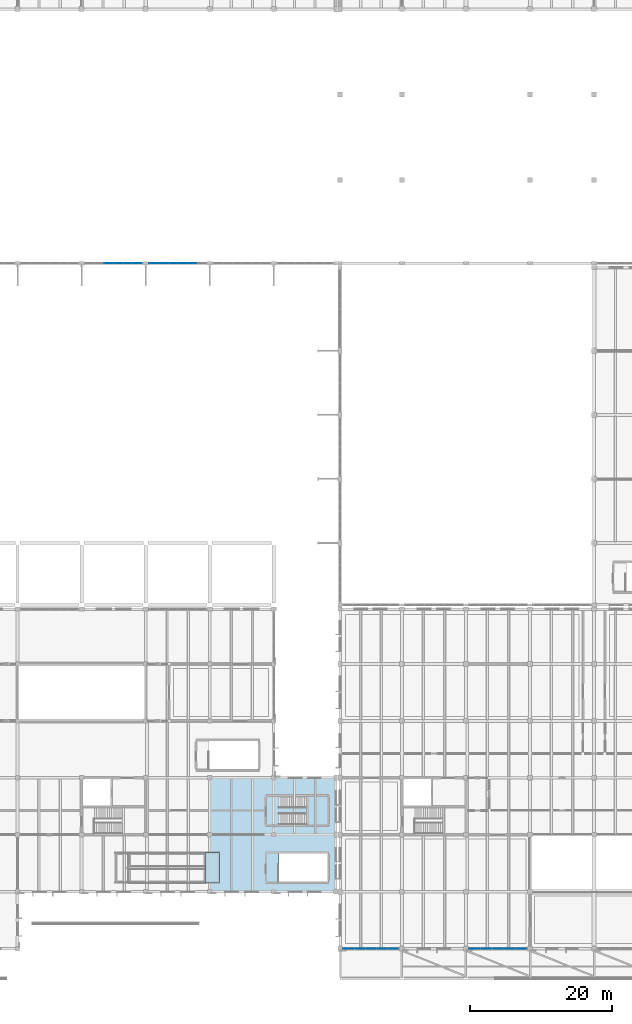
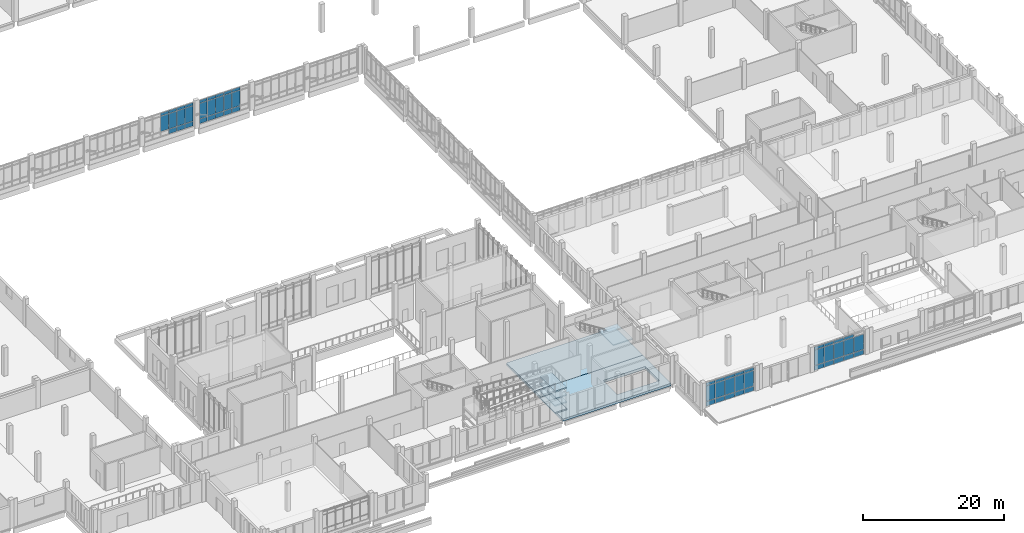
# One storey, part 61 of 110: 55 plates, 7 slabs, 6 elements without a shape of their own.
"""IFC4 building model written with IfcOpenShell, lengths in metres."""

import ifcopenshell
import ifcopenshell.guid

model = None  # the IFC model being written
_history = None  # IfcOwnerHistory: only IFC2X3 demands one
_inside = {}  # id of a spatial element -> (the spatial element, [elements in it])
_under = {}  # id of a project, library or spatial element -> (it, [spatial elements below it])
_declared = {}  # id of a project -> (the project, [libraries it declares])
_typed = {}  # id of a type object -> (the type object, [elements of that type])
_made_of = {}  # id of a material, layer set ... -> (it, [elements and type objects made of it])


def new_model(schema):
    """Start an empty IFC model of exactly this schema.

    Asked for "IFC4X3", IfcOpenShell would pick the latest addendum, in which some entities
    have other attributes; the version numbers below select the first issue.
    IFC2X3 requires an IfcOwnerHistory on every rooted entity: one is made here for all.
    """
    global model, _history
    if schema == "IFC4X3":
        model = ifcopenshell.file(schema_version=(4, 3, 0, 0))
    else:
        model = ifcopenshell.file(schema=schema)
    _inside.clear()
    _under.clear()
    _declared.clear()
    _typed.clear()
    _made_of.clear()
    _history = None
    if model.schema == "IFC2X3":
        org = make("IfcOrganization", Name="unknown")
        user = make(
            "IfcPersonAndOrganization",
            ThePerson=make("IfcPerson", FamilyName="unknown"),
            TheOrganization=org,
        )
        app = make(
            "IfcApplication",
            ApplicationDeveloper=org,
            Version="unknown",
            ApplicationFullName="unknown",
            ApplicationIdentifier="unknown",
        )
        _history = make(
            "IfcOwnerHistory",
            OwningUser=user,
            OwningApplication=app,
            ChangeAction="ADDED",
            CreationDate=0,
        )
    return model


def make(cls, **values):
    """One entity of the class cls with the attributes given. An attribute that is None is left unset."""
    return model.create_entity(
        cls, **{name: value for name, value in values.items() if value is not None}
    )


def rooted(cls, **values):
    """An entity with a GlobalId (a new one), such as an element, a storey or a relation."""
    return make(cls, GlobalId=ifcopenshell.guid.new(), OwnerHistory=_history, **values)


def si_unit(unit_type, name, prefix=None):
    """IfcSIUnit, for example si_unit("LENGTHUNIT", "METRE", prefix="MILLI")."""
    return make("IfcSIUnit", UnitType=unit_type, Prefix=prefix, Name=name)


def assignment(units):
    """IfcUnitAssignment: the units of a project."""
    return None if units is None else make("IfcUnitAssignment", Units=units)


def point(xyz):
    """IfcCartesianPoint."""
    return None if xyz is None else make("IfcCartesianPoint", Coordinates=xyz)


def direction(xyz):
    """IfcDirection."""
    return None if xyz is None else make("IfcDirection", DirectionRatios=xyz)


def frame(location, z_axis=None, x_axis=None):
    """IfcAxis2Placement3D, a coordinate frame: its origin and axes. An axis left out is left unset."""
    return make(
        "IfcAxis2Placement3D",
        Location=point(location),
        Axis=direction(z_axis),
        RefDirection=direction(x_axis),
    )


def frame_2d(location, x_axis=None):
    """IfcAxis2Placement2D, a coordinate frame in the plane: its origin and x axis."""
    return make(
        "IfcAxis2Placement2D", Location=point(location), RefDirection=direction(x_axis)
    )


def origin():
    """The frame at (0, 0, 0) with its axes left unset."""
    return frame((0.0, 0.0, 0.0))


def origin_2d():
    """The frame at (0, 0) in the plane with its x axis left unset."""
    return frame_2d((0.0, 0.0))


def place(relative_to, where):
    """IfcLocalPlacement: puts the frame where relative to a parent placement (None: the world)."""
    return make(
        "IfcLocalPlacement", PlacementRelTo=relative_to, RelativePlacement=where
    )


def context(
    kind, dimensions, precision=None, world=None, true_north=None, identifier=None
):
    """IfcGeometricRepresentationContext, for example the 3D "Model" context."""
    return make(
        "IfcGeometricRepresentationContext",
        ContextIdentifier=identifier,
        ContextType=kind,
        CoordinateSpaceDimension=dimensions,
        Precision=precision,
        WorldCoordinateSystem=world,
        TrueNorth=true_north,
    )


def subcontext(parent, identifier, kind, view, scale=None):
    """IfcGeometricRepresentationSubContext, for example "Body" below "Model"."""
    return make(
        "IfcGeometricRepresentationSubContext",
        ContextIdentifier=identifier,
        ContextType=kind,
        ParentContext=parent,
        TargetScale=scale,
        TargetView=view,
    )


def project(units=None, contexts=None):
    """IfcProject with its units and contexts."""
    return rooted(
        "IfcProject",
        Name="project",
        RepresentationContexts=contexts,
        UnitsInContext=assignment(units),
    )


def spatial(cls, under=None, at=None, **own):
    """A site, building, storey or space (cls), placed at a placement, below another one or the project."""
    s = rooted(cls, ObjectPlacement=at, **own)
    if under is not None:
        _under.setdefault(under.id(), (under, []))[1].append(s)
    return s


def polyline(points):
    """IfcPolyline through the points."""
    return make("IfcPolyline", Points=[point(p) for p in points])


def profile(cls, at=None, kind="AREA", **sizes):
    """A parametric profile (cls). Its sizes go by their IFC names, for example OverallWidth=200.0."""
    return make(cls, ProfileType=kind, Position=at, **sizes)


def rectangle(**sizes):
    """IfcRectangleProfileDef."""
    return profile("IfcRectangleProfileDef", **sizes)


def outline(outer, holes=None, kind="AREA"):
    """IfcArbitraryClosedProfileDef: a profile drawn as a closed curve; with holes, ...WithVoids."""
    if holes is None:
        return make("IfcArbitraryClosedProfileDef", ProfileType=kind, OuterCurve=outer)
    return make(
        "IfcArbitraryProfileDefWithVoids",
        ProfileType=kind,
        OuterCurve=outer,
        InnerCurves=holes,
    )


def extrude(swept, where, along, depth):
    """IfcExtrudedAreaSolid: the profile swept, set in the frame where, extruded along a direction by depth."""
    return make(
        "IfcExtrudedAreaSolid",
        SweptArea=swept,
        Position=where,
        ExtrudedDirection=direction(along),
        Depth=depth,
    )


def shape(context_of_items, identifier, shape_type, items):
    """IfcShapeRepresentation: the items that make up one representation, for example the "Body"."""
    return make(
        "IfcShapeRepresentation",
        ContextOfItems=context_of_items,
        RepresentationIdentifier=identifier,
        RepresentationType=shape_type,
        Items=items,
    )


def material(Name=None, Category=None):
    """IfcMaterial."""
    return make("IfcMaterial", Name=Name, Category=Category)


def layer(
    of_material, thickness, ventilated=None, Name=None, Category=None, Priority=None
):
    """IfcMaterialLayer: one layer of a wall or slab, of a material (None: an air gap)."""
    return make(
        "IfcMaterialLayer",
        Material=of_material,
        LayerThickness=thickness,
        IsVentilated=ventilated,
        Name=Name,
        Category=Category,
        Priority=Priority,
    )


def layer_set(layers, Name=None):
    """IfcMaterialLayerSet."""
    return make("IfcMaterialLayerSet", MaterialLayers=layers, LayerSetName=Name)


def made_of(thing, what):
    """Note that an element or type object is made of a material, layer set ...; save() writes the relation."""
    if what is not None:
        _made_of.setdefault(what.id(), (what, []))[1].append(thing)
    return thing


def type_object(cls, material=None, **own):
    """A type object (cls), such as IfcWallType, which elements share."""
    return made_of(rooted(cls, **own), material)


def element(
    cls,
    number,
    at=None,
    inside=None,
    cuts=None,
    type_object=None,
    material=None,
    context=None,
    identifier="Body",
    shape_type=None,
    held_by="IfcProductDefinitionShape",
    body=None,
    shapes=None,
    **own,
):
    """One element of the class cls, such as IfcWall. Its Tag is "e" and its number.

    at: its placement. inside: the storey or other place that contains it. cuts: it is an
    opening in that element (IfcRelVoidsElement). A single representation is given by context,
    identifier, shape_type and body (its items); several are given by shapes. held_by: the class
    of the entity that holds the representations. save() writes the other relations.
    """
    e = rooted(cls, Tag="e%d" % number, ObjectPlacement=at, **own)
    if body is not None:
        shapes = [shape(context, identifier, shape_type, body)]
    if shapes is not None:
        e.Representation = make(held_by, Representations=shapes)
    if inside is not None:
        _inside.setdefault(inside.id(), (inside, []))[1].append(e)
    if cuts is not None:
        rooted(
            "IfcRelVoidsElement", RelatingBuildingElement=cuts, RelatedOpeningElement=e
        )
    if type_object is not None:
        _typed.setdefault(type_object.id(), (type_object, []))[1].append(e)
    return made_of(e, material)


def aggregate(whole, parts):
    """IfcRelAggregates: a whole, such as a stair, and the parts it consists of."""
    return rooted("IfcRelAggregates", RelatingObject=whole, RelatedObjects=parts)


def save(model, path):
    """Write the relations noted so far, then the file.

    IfcRelAggregates (storeys below a building ...), IfcRelContainedInSpatialStructure (elements
    in a storey), IfcRelDefinesByType, IfcRelAssociatesMaterial and IfcRelDeclares: one each for
    every whole, place, type object, material and project.
    """
    for whole, parts in _under.values():
        aggregate(whole, parts)
    for where, things in _inside.values():
        rooted(
            "IfcRelContainedInSpatialStructure",
            RelatedElements=things,
            RelatingStructure=where,
        )
    for kind, things in _typed.values():
        rooted("IfcRelDefinesByType", RelatedObjects=things, RelatingType=kind)
    for what, things in _made_of.values():
        rooted("IfcRelAssociatesMaterial", RelatedObjects=things, RelatingMaterial=what)
    for by, libraries in _declared.values():
        rooted("IfcRelDeclares", RelatingContext=by, RelatedDefinitions=libraries)
    model.write(path)


model = new_model("IFC4")

# Units and contexts
model_context = context("Model", 3, precision=1e-05, world=origin(), true_north=direction((0.0, 1.0)))
body_context = subcontext(model_context, "Body", "Model", "MODEL_VIEW")
ifc_project = project(units=[si_unit("LENGTHUNIT", "METRE"), si_unit("AREAUNIT", "SQUARE_METRE"), si_unit("VOLUMEUNIT", "CUBIC_METRE"), si_unit("PLANEANGLEUNIT", "RADIAN"), si_unit("MASSUNIT", "GRAM", prefix="KILO")], contexts=[model_context])

# Site, building, storey
site_placement = place(None, origin())
site = spatial("IfcSite", under=ifc_project, at=site_placement, CompositionType="ELEMENT")
building_placement = place(site_placement, origin())
building = spatial("IfcBuilding", under=site, at=building_placement, Name="Zacnel Wholesale Market", CompositionType="ELEMENT")
storey_placement = place(building_placement, frame((0.0, 0.0, 6.300048828125)))
storey = spatial("IfcBuildingStorey", under=building, at=storey_placement, Name="L02", CompositionType="ELEMENT", Elevation=6.300048828125)

# Curtain wall, plates
ifc_material_1 = material(Name="Anodised aluminium", Category="aluminium")
ifc_layer_1 = layer(ifc_material_1, 0.179931640625)
ifc_layer_set_1 = layer_set([ifc_layer_1], Name="Anodised aluminium")
curtain_wall_type_1 = type_object("IfcCurtainWallType", Name="CW-BLVD-5400", PredefinedType="NOTDEFINED", material=ifc_layer_set_1)
curtain_wall_1_placement = place(storey_placement, origin())
curtain_wall_1 = element("IfcCurtainWall", 1, at=curtain_wall_1_placement, inside=storey, type_object=curtain_wall_type_1, Name="Curtain wall ENV-R2-CW-L02-016", PredefinedType="NOTDEFINED")
ifc_material_2 = material(Name="Laminated hurricane-impact low-E insulated glass", Category="glass")
ifc_layer_2 = layer(ifc_material_2, 0.028076171875)
ifc_layer_set_2 = layer_set([ifc_layer_2], Name="Laminated hurricane-impact low-E insulated glass")
plate_type_1 = type_object("IfcPlateType", Name="CWP-PNL-01", PredefinedType="CURTAIN_PANEL", material=ifc_layer_set_2)
plate_1_placement = place(storey_placement, frame((145.530029296875, 0.0, 1.330078125), z_axis=(0.0, 0.0, 1.0), x_axis=(1.0, 0.0, 0.0)))
plate_1 = element("IfcPlate", 2, at=plate_1_placement, type_object=plate_type_1, Name="ENV-R2-CW-L02-016 panel 1-2", PredefinedType="CURTAIN_PANEL", context=body_context, shape_type="SweptSolid", body=[
    extrude(rectangle(XDim=1.489990234375, YDim=0.028076171875, at=origin_2d()), origin(), (0.0, 0.0, 1.0), 2.639892578125),
])
plate_2_placement = place(storey_placement, frame((147.090087890625, 0.0, 1.330078125), z_axis=(0.0, 0.0, 1.0), x_axis=(1.0, 0.0, 0.0)))
plate_2 = element("IfcPlate", 3, at=plate_2_placement, type_object=plate_type_1, Name="ENV-R2-CW-L02-016 panel 2-2", PredefinedType="CURTAIN_PANEL", context=body_context, shape_type="SweptSolid", body=[
    extrude(rectangle(XDim=1.489990234375, YDim=0.028076171875, at=origin_2d()), origin(), (0.0, 0.0, 1.0), 2.639892578125),
])
plate_3_placement = place(storey_placement, frame((148.64990234375, 0.0, 1.330078125), z_axis=(0.0, 0.0, 1.0), x_axis=(1.0, 0.0, 0.0)))
plate_3 = element("IfcPlate", 4, at=plate_3_placement, type_object=plate_type_1, Name="ENV-R2-CW-L02-016 panel 3-2", PredefinedType="CURTAIN_PANEL", context=body_context, shape_type="SweptSolid", body=[
    extrude(rectangle(XDim=1.489990234375, YDim=0.028076171875, at=origin_2d()), origin(), (0.0, 0.0, 1.0), 2.639892578125),
])
plate_4_placement = place(storey_placement, frame((150.2099609375, 0.0, 1.330078125), z_axis=(0.0, 0.0, 1.0), x_axis=(1.0, 0.0, 0.0)))
plate_4 = element("IfcPlate", 5, at=plate_4_placement, type_object=plate_type_1, Name="ENV-R2-CW-L02-016 panel 4-2", PredefinedType="CURTAIN_PANEL", context=body_context, shape_type="SweptSolid", body=[
    extrude(rectangle(XDim=1.489990234375, YDim=0.028076171875, at=origin_2d()), origin(), (0.0, 0.0, 1.0), 2.639892578125),
])
plate_5_placement = place(storey_placement, frame((151.77001953125, 0.0, 1.330078125), z_axis=(0.0, 0.0, 1.0), x_axis=(1.0, 0.0, 0.0)))
plate_5 = element("IfcPlate", 6, at=plate_5_placement, type_object=plate_type_1, Name="ENV-R2-CW-L02-016 panel 5-2", PredefinedType="CURTAIN_PANEL", context=body_context, shape_type="SweptSolid", body=[
    extrude(rectangle(XDim=1.489990234375, YDim=0.028076171875, at=origin_2d()), origin(), (0.0, 0.0, 1.0), 2.639892578125),
])

curtain_wall_2_placement = place(storey_placement, origin())
curtain_wall_2 = element("IfcCurtainWall", 7, at=curtain_wall_2_placement, inside=storey, type_object=curtain_wall_type_1, Name="Curtain wall ENV-R2-CW-L02-017", PredefinedType="NOTDEFINED")
plate_6_placement = place(storey_placement, frame((163.260009765625, 0.0, 1.330078125), z_axis=(0.0, 0.0, 1.0), x_axis=(1.0, 0.0, 0.0)))
plate_6 = element("IfcPlate", 8, at=plate_6_placement, type_object=plate_type_1, Name="ENV-R2-CW-L02-017 panel 1-2", PredefinedType="CURTAIN_PANEL", context=body_context, shape_type="SweptSolid", body=[
    extrude(rectangle(XDim=1.550048828125, YDim=0.028076171875, at=origin_2d()), origin(), (0.0, 0.0, 1.0), 2.639892578125),
])
plate_7_placement = place(storey_placement, frame((164.8798828125, 0.0, 1.330078125), z_axis=(0.0, 0.0, 1.0), x_axis=(1.0, 0.0, 0.0)))
plate_7 = element("IfcPlate", 9, at=plate_7_placement, type_object=plate_type_1, Name="ENV-R2-CW-L02-017 panel 2-2", PredefinedType="CURTAIN_PANEL", context=body_context, shape_type="SweptSolid", body=[
    extrude(rectangle(XDim=1.550048828125, YDim=0.028076171875, at=origin_2d()), origin(), (0.0, 0.0, 1.0), 2.639892578125),
])
plate_8_placement = place(storey_placement, frame((166.5, 0.0, 1.330078125), z_axis=(0.0, 0.0, 1.0), x_axis=(1.0, 0.0, 0.0)))
plate_8 = element("IfcPlate", 10, at=plate_8_placement, type_object=plate_type_1, Name="ENV-R2-CW-L02-017 panel 3-2", PredefinedType="CURTAIN_PANEL", context=body_context, shape_type="SweptSolid", body=[
    extrude(rectangle(XDim=1.550048828125, YDim=0.028076171875, at=origin_2d()), origin(), (0.0, 0.0, 1.0), 2.639892578125),
])
plate_9_placement = place(storey_placement, frame((168.1201171875, 0.0, 1.330078125), z_axis=(0.0, 0.0, 1.0), x_axis=(1.0, 0.0, 0.0)))
plate_9 = element("IfcPlate", 11, at=plate_9_placement, type_object=plate_type_1, Name="ENV-R2-CW-L02-017 panel 4-2", PredefinedType="CURTAIN_PANEL", context=body_context, shape_type="SweptSolid", body=[
    extrude(rectangle(XDim=1.550048828125, YDim=0.028076171875, at=origin_2d()), origin(), (0.0, 0.0, 1.0), 2.639892578125),
])
plate_10_placement = place(storey_placement, frame((169.739990234375, 0.0, 1.330078125), z_axis=(0.0, 0.0, 1.0), x_axis=(1.0, 0.0, 0.0)))
plate_10 = element("IfcPlate", 12, at=plate_10_placement, type_object=plate_type_1, Name="ENV-R2-CW-L02-017 panel 5-2", PredefinedType="CURTAIN_PANEL", context=body_context, shape_type="SweptSolid", body=[
    extrude(rectangle(XDim=1.550048828125, YDim=0.028076171875, at=origin_2d()), origin(), (0.0, 0.0, 1.0), 2.639892578125),
])

ifc_material_3 = material(Name="Anodised aluminium", Category="aluminium")
ifc_layer_3 = layer(ifc_material_3, 0.159912109375)
ifc_layer_set_3 = layer_set([ifc_layer_3], Name="Anodised aluminium")
curtain_wall_type_2 = type_object("IfcCurtainWallType", Name="CW-NAVE-4200", PredefinedType="NOTDEFINED", material=ifc_layer_set_3)
curtain_wall_3_placement = place(storey_placement, origin())
curtain_wall_3 = element("IfcCurtainWall", 13, at=curtain_wall_3_placement, inside=storey, type_object=curtain_wall_type_2, Name="Curtain wall ENV-R2-CW-L02-024", PredefinedType="NOTDEFINED")
ifc_material_4 = material(Name="Laminated hurricane-impact low-E insulated glass", Category="glass")
ifc_layer_4 = layer(ifc_material_4, 0.031982421875)
ifc_layer_set_4 = layer_set([ifc_layer_4], Name="Laminated hurricane-impact low-E insulated glass")
plate_type_2 = type_object("IfcPlateType", Name="CWP-PNL-02", PredefinedType="CURTAIN_PANEL", material=ifc_layer_set_4)
plate_11_placement = place(storey_placement, frame((111.83251953125, 96.300048828125, 1.330078125), z_axis=(0.0, 0.0, 1.0), x_axis=(1.0, 0.0, 0.0)))
plate_11 = element("IfcPlate", 14, at=plate_11_placement, type_object=plate_type_2, Name="ENV-R2-CW-L02-024 panel 3-2", PredefinedType="CURTAIN_PANEL", context=body_context, shape_type="SweptSolid", body=[
    extrude(rectangle(XDim=1.264892578125, YDim=0.031982421875, at=origin_2d()), origin(), (0.0, 0.0, 1.0), 2.639892578125),
])
plate_12_placement = place(storey_placement, frame((113.16748046875, 96.300048828125, 1.330078125), z_axis=(0.0, 0.0, 1.0), x_axis=(1.0, 0.0, 0.0)))
plate_12 = element("IfcPlate", 15, at=plate_12_placement, type_object=plate_type_2, Name="ENV-R2-CW-L02-024 panel 4-2", PredefinedType="CURTAIN_PANEL", context=body_context, shape_type="SweptSolid", body=[
    extrude(rectangle(XDim=1.264892578125, YDim=0.031982421875, at=origin_2d()), origin(), (0.0, 0.0, 1.0), 2.639892578125),
])
plate_13_placement = place(storey_placement, frame((114.50244140625, 96.300048828125, 1.330078125), z_axis=(0.0, 0.0, 1.0), x_axis=(1.0, 0.0, 0.0)))
plate_13 = element("IfcPlate", 16, at=plate_13_placement, type_object=plate_type_2, Name="ENV-R2-CW-L02-024 panel 5-2", PredefinedType="CURTAIN_PANEL", context=body_context, shape_type="SweptSolid", body=[
    extrude(rectangle(XDim=1.264892578125, YDim=0.031982421875, at=origin_2d()), origin(), (0.0, 0.0, 1.0), 2.639892578125),
])
plate_14_placement = place(storey_placement, frame((115.83740234375, 96.300048828125, 1.330078125), z_axis=(0.0, 0.0, 1.0), x_axis=(1.0, 0.0, 0.0)))
plate_14 = element("IfcPlate", 17, at=plate_14_placement, type_object=plate_type_2, Name="ENV-R2-CW-L02-024 panel 6-2", PredefinedType="CURTAIN_PANEL", context=body_context, shape_type="SweptSolid", body=[
    extrude(rectangle(XDim=1.264892578125, YDim=0.031982421875, at=origin_2d()), origin(), (0.0, 0.0, 1.0), 2.639892578125),
])

curtain_wall_4_placement = place(storey_placement, origin())
curtain_wall_4 = element("IfcCurtainWall", 18, at=curtain_wall_4_placement, inside=storey, type_object=curtain_wall_type_2, Name="Curtain wall ENV-R2-CW-L02-025", PredefinedType="NOTDEFINED")
plate_15_placement = place(storey_placement, frame((118.16259765625, 96.300048828125, 1.330078125), z_axis=(0.0, 0.0, 1.0), x_axis=(1.0, 0.0, 0.0)))
plate_15 = element("IfcPlate", 19, at=plate_15_placement, type_object=plate_type_2, Name="ENV-R2-CW-L02-025 panel 1-2", PredefinedType="CURTAIN_PANEL", context=body_context, shape_type="SweptSolid", body=[
    extrude(rectangle(XDim=1.264892578125, YDim=0.031982421875, at=origin_2d()), origin(), (0.0, 0.0, 1.0), 2.639892578125),
])
plate_16_placement = place(storey_placement, frame((119.49755859375, 96.300048828125, 1.330078125), z_axis=(0.0, 0.0, 1.0), x_axis=(1.0, 0.0, 0.0)))
plate_16 = element("IfcPlate", 20, at=plate_16_placement, type_object=plate_type_2, Name="ENV-R2-CW-L02-025 panel 2-2", PredefinedType="CURTAIN_PANEL", context=body_context, shape_type="SweptSolid", body=[
    extrude(rectangle(XDim=1.264892578125, YDim=0.031982421875, at=origin_2d()), origin(), (0.0, 0.0, 1.0), 2.639892578125),
])
plate_17_placement = place(storey_placement, frame((120.83251953125, 96.300048828125, 1.330078125), z_axis=(0.0, 0.0, 1.0), x_axis=(1.0, 0.0, 0.0)))
plate_17 = element("IfcPlate", 21, at=plate_17_placement, type_object=plate_type_2, Name="ENV-R2-CW-L02-025 panel 3-2", PredefinedType="CURTAIN_PANEL", context=body_context, shape_type="SweptSolid", body=[
    extrude(rectangle(XDim=1.264892578125, YDim=0.031982421875, at=origin_2d()), origin(), (0.0, 0.0, 1.0), 2.639892578125),
])
plate_18_placement = place(storey_placement, frame((122.16748046875, 96.300048828125, 1.330078125), z_axis=(0.0, 0.0, 1.0), x_axis=(1.0, 0.0, 0.0)))
plate_18 = element("IfcPlate", 22, at=plate_18_placement, type_object=plate_type_2, Name="ENV-R2-CW-L02-025 panel 4-2", PredefinedType="CURTAIN_PANEL", context=body_context, shape_type="SweptSolid", body=[
    extrude(rectangle(XDim=1.264892578125, YDim=0.031982421875, at=origin_2d()), origin(), (0.0, 0.0, 1.0), 2.639892578125),
])
plate_19_placement = place(storey_placement, frame((123.50244140625, 96.300048828125, 1.330078125), z_axis=(0.0, 0.0, 1.0), x_axis=(1.0, 0.0, 0.0)))
plate_19 = element("IfcPlate", 23, at=plate_19_placement, type_object=plate_type_2, Name="ENV-R2-CW-L02-025 panel 5-2", PredefinedType="CURTAIN_PANEL", context=body_context, shape_type="SweptSolid", body=[
    extrude(rectangle(XDim=1.264892578125, YDim=0.031982421875, at=origin_2d()), origin(), (0.0, 0.0, 1.0), 2.639892578125),
])

# Plate
ifc_material_5 = material(Name="Anodised aluminium", Category="aluminium")
ifc_layer_5 = layer(ifc_material_5, 0.0400390625)
ifc_layer_set_5 = layer_set([ifc_layer_5], Name="Anodised aluminium")
plate_type_3 = type_object("IfcPlateType", Name="CWP-PNL-05", PredefinedType="CURTAIN_PANEL", material=ifc_layer_set_5)
plate_20_placement = place(storey_placement, frame((145.530029296875, 0.0, 0.47998046875), z_axis=(0.0, 0.0, 1.0), x_axis=(1.0, 0.0, 0.0)))
plate_20 = element("IfcPlate", 24, at=plate_20_placement, type_object=plate_type_3, Name="ENV-R2-CW-L02-016 panel 1-1", PredefinedType="CURTAIN_PANEL", context=body_context, shape_type="SweptSolid", body=[
    extrude(rectangle(XDim=1.489990234375, YDim=0.0400390625, at=origin_2d()), origin(), (0.0, 0.0, 1.0), 0.7900390625),
])

plate_21_placement = place(storey_placement, frame((145.530029296875, 0.0, 4.02978515625), z_axis=(0.0, 0.0, 1.0), x_axis=(1.0, 0.0, 0.0)))
plate_21 = element("IfcPlate", 25, at=plate_21_placement, type_object=plate_type_3, Name="ENV-R2-CW-L02-016 panel 1-3", PredefinedType="CURTAIN_PANEL", context=body_context, shape_type="SweptSolid", body=[
    extrude(rectangle(XDim=1.489990234375, YDim=0.0400390625, at=origin_2d()), origin(), (0.0, 0.0, 1.0), 0.489990234375),
])

plate_22_placement = place(storey_placement, frame((148.64990234375, 0.0, 0.47998046875), z_axis=(0.0, 0.0, 1.0), x_axis=(1.0, 0.0, 0.0)))
plate_22 = element("IfcPlate", 26, at=plate_22_placement, type_object=plate_type_3, Name="ENV-R2-CW-L02-016 panel 3-1", PredefinedType="CURTAIN_PANEL", context=body_context, shape_type="SweptSolid", body=[
    extrude(rectangle(XDim=1.489990234375, YDim=0.0400390625, at=origin_2d()), origin(), (0.0, 0.0, 1.0), 0.7900390625),
])

plate_23_placement = place(storey_placement, frame((148.64990234375, 0.0, 4.02978515625), z_axis=(0.0, 0.0, 1.0), x_axis=(1.0, 0.0, 0.0)))
plate_23 = element("IfcPlate", 27, at=plate_23_placement, type_object=plate_type_3, Name="ENV-R2-CW-L02-016 panel 3-3", PredefinedType="CURTAIN_PANEL", context=body_context, shape_type="SweptSolid", body=[
    extrude(rectangle(XDim=1.489990234375, YDim=0.0400390625, at=origin_2d()), origin(), (0.0, 0.0, 1.0), 0.489990234375),
])

plate_24_placement = place(storey_placement, frame((151.77001953125, 0.0, 0.47998046875), z_axis=(0.0, 0.0, 1.0), x_axis=(1.0, 0.0, 0.0)))
plate_24 = element("IfcPlate", 28, at=plate_24_placement, type_object=plate_type_3, Name="ENV-R2-CW-L02-016 panel 5-1", PredefinedType="CURTAIN_PANEL", context=body_context, shape_type="SweptSolid", body=[
    extrude(rectangle(XDim=1.489990234375, YDim=0.0400390625, at=origin_2d()), origin(), (0.0, 0.0, 1.0), 0.7900390625),
])

plate_25_placement = place(storey_placement, frame((151.77001953125, 0.0, 4.02978515625), z_axis=(0.0, 0.0, 1.0), x_axis=(1.0, 0.0, 0.0)))
plate_25 = element("IfcPlate", 29, at=plate_25_placement, type_object=plate_type_3, Name="ENV-R2-CW-L02-016 panel 5-3", PredefinedType="CURTAIN_PANEL", context=body_context, shape_type="SweptSolid", body=[
    extrude(rectangle(XDim=1.489990234375, YDim=0.0400390625, at=origin_2d()), origin(), (0.0, 0.0, 1.0), 0.489990234375),
])

plate_26_placement = place(storey_placement, frame((163.260009765625, 0.0, 0.47998046875), z_axis=(0.0, 0.0, 1.0), x_axis=(1.0, 0.0, 0.0)))
plate_26 = element("IfcPlate", 30, at=plate_26_placement, type_object=plate_type_3, Name="ENV-R2-CW-L02-017 panel 1-1", PredefinedType="CURTAIN_PANEL", context=body_context, shape_type="SweptSolid", body=[
    extrude(rectangle(XDim=1.550048828125, YDim=0.0400390625, at=origin_2d()), origin(), (0.0, 0.0, 1.0), 0.7900390625),
])

plate_27_placement = place(storey_placement, frame((163.260009765625, 0.0, 4.02978515625), z_axis=(0.0, 0.0, 1.0), x_axis=(1.0, 0.0, 0.0)))
plate_27 = element("IfcPlate", 31, at=plate_27_placement, type_object=plate_type_3, Name="ENV-R2-CW-L02-017 panel 1-3", PredefinedType="CURTAIN_PANEL", context=body_context, shape_type="SweptSolid", body=[
    extrude(rectangle(XDim=1.550048828125, YDim=0.0400390625, at=origin_2d()), origin(), (0.0, 0.0, 1.0), 0.489990234375),
])

plate_28_placement = place(storey_placement, frame((166.5, 0.0, 0.47998046875), z_axis=(0.0, 0.0, 1.0), x_axis=(1.0, 0.0, 0.0)))
plate_28 = element("IfcPlate", 32, at=plate_28_placement, type_object=plate_type_3, Name="ENV-R2-CW-L02-017 panel 3-1", PredefinedType="CURTAIN_PANEL", context=body_context, shape_type="SweptSolid", body=[
    extrude(rectangle(XDim=1.550048828125, YDim=0.0400390625, at=origin_2d()), origin(), (0.0, 0.0, 1.0), 0.7900390625),
])

plate_29_placement = place(storey_placement, frame((166.5, 0.0, 4.02978515625), z_axis=(0.0, 0.0, 1.0), x_axis=(1.0, 0.0, 0.0)))
plate_29 = element("IfcPlate", 33, at=plate_29_placement, type_object=plate_type_3, Name="ENV-R2-CW-L02-017 panel 3-3", PredefinedType="CURTAIN_PANEL", context=body_context, shape_type="SweptSolid", body=[
    extrude(rectangle(XDim=1.550048828125, YDim=0.0400390625, at=origin_2d()), origin(), (0.0, 0.0, 1.0), 0.489990234375),
])

plate_30_placement = place(storey_placement, frame((169.739990234375, 0.0, 0.47998046875), z_axis=(0.0, 0.0, 1.0), x_axis=(1.0, 0.0, 0.0)))
plate_30 = element("IfcPlate", 34, at=plate_30_placement, type_object=plate_type_3, Name="ENV-R2-CW-L02-017 panel 5-1", PredefinedType="CURTAIN_PANEL", context=body_context, shape_type="SweptSolid", body=[
    extrude(rectangle(XDim=1.550048828125, YDim=0.0400390625, at=origin_2d()), origin(), (0.0, 0.0, 1.0), 0.7900390625),
])

plate_31_placement = place(storey_placement, frame((111.83251953125, 96.300048828125, 4.02978515625), z_axis=(0.0, 0.0, 1.0), x_axis=(1.0, 0.0, 0.0)))
plate_31 = element("IfcPlate", 35, at=plate_31_placement, type_object=plate_type_3, Name="ENV-R2-CW-L02-024 panel 3-3", PredefinedType="CURTAIN_PANEL", context=body_context, shape_type="SweptSolid", body=[
    extrude(rectangle(XDim=1.264892578125, YDim=0.0400390625, at=origin_2d()), origin(), (0.0, 0.0, 1.0), 0.489990234375),
])

plate_32_placement = place(storey_placement, frame((114.50244140625, 96.300048828125, 0.47998046875), z_axis=(0.0, 0.0, 1.0), x_axis=(1.0, 0.0, 0.0)))
plate_32 = element("IfcPlate", 36, at=plate_32_placement, type_object=plate_type_3, Name="ENV-R2-CW-L02-024 panel 5-1", PredefinedType="CURTAIN_PANEL", context=body_context, shape_type="SweptSolid", body=[
    extrude(rectangle(XDim=1.264892578125, YDim=0.0400390625, at=origin_2d()), origin(), (0.0, 0.0, 1.0), 0.7900390625),
])

plate_33_placement = place(storey_placement, frame((114.50244140625, 96.300048828125, 4.02978515625), z_axis=(0.0, 0.0, 1.0), x_axis=(1.0, 0.0, 0.0)))
plate_33 = element("IfcPlate", 37, at=plate_33_placement, type_object=plate_type_3, Name="ENV-R2-CW-L02-024 panel 5-3", PredefinedType="CURTAIN_PANEL", context=body_context, shape_type="SweptSolid", body=[
    extrude(rectangle(XDim=1.264892578125, YDim=0.0400390625, at=origin_2d()), origin(), (0.0, 0.0, 1.0), 0.489990234375),
])

plate_34_placement = place(storey_placement, frame((118.16259765625, 96.300048828125, 0.47998046875), z_axis=(0.0, 0.0, 1.0), x_axis=(1.0, 0.0, 0.0)))
plate_34 = element("IfcPlate", 38, at=plate_34_placement, type_object=plate_type_3, Name="ENV-R2-CW-L02-025 panel 1-1", PredefinedType="CURTAIN_PANEL", context=body_context, shape_type="SweptSolid", body=[
    extrude(rectangle(XDim=1.264892578125, YDim=0.0400390625, at=origin_2d()), origin(), (0.0, 0.0, 1.0), 0.7900390625),
])

plate_35_placement = place(storey_placement, frame((118.16259765625, 96.300048828125, 4.02978515625), z_axis=(0.0, 0.0, 1.0), x_axis=(1.0, 0.0, 0.0)))
plate_35 = element("IfcPlate", 39, at=plate_35_placement, type_object=plate_type_3, Name="ENV-R2-CW-L02-025 panel 1-3", PredefinedType="CURTAIN_PANEL", context=body_context, shape_type="SweptSolid", body=[
    extrude(rectangle(XDim=1.264892578125, YDim=0.0400390625, at=origin_2d()), origin(), (0.0, 0.0, 1.0), 0.489990234375),
])

plate_36_placement = place(storey_placement, frame((120.83251953125, 96.300048828125, 0.47998046875), z_axis=(0.0, 0.0, 1.0), x_axis=(1.0, 0.0, 0.0)))
plate_36 = element("IfcPlate", 40, at=plate_36_placement, type_object=plate_type_3, Name="ENV-R2-CW-L02-025 panel 3-1", PredefinedType="CURTAIN_PANEL", context=body_context, shape_type="SweptSolid", body=[
    extrude(rectangle(XDim=1.264892578125, YDim=0.0400390625, at=origin_2d()), origin(), (0.0, 0.0, 1.0), 0.7900390625),
])

plate_37_placement = place(storey_placement, frame((120.83251953125, 96.300048828125, 4.02978515625), z_axis=(0.0, 0.0, 1.0), x_axis=(1.0, 0.0, 0.0)))
plate_37 = element("IfcPlate", 41, at=plate_37_placement, type_object=plate_type_3, Name="ENV-R2-CW-L02-025 panel 3-3", PredefinedType="CURTAIN_PANEL", context=body_context, shape_type="SweptSolid", body=[
    extrude(rectangle(XDim=1.264892578125, YDim=0.0400390625, at=origin_2d()), origin(), (0.0, 0.0, 1.0), 0.489990234375),
])

plate_38_placement = place(storey_placement, frame((123.50244140625, 96.300048828125, 0.47998046875), z_axis=(0.0, 0.0, 1.0), x_axis=(1.0, 0.0, 0.0)))
plate_38 = element("IfcPlate", 42, at=plate_38_placement, type_object=plate_type_3, Name="ENV-R2-CW-L02-025 panel 5-1", PredefinedType="CURTAIN_PANEL", context=body_context, shape_type="SweptSolid", body=[
    extrude(rectangle(XDim=1.264892578125, YDim=0.0400390625, at=origin_2d()), origin(), (0.0, 0.0, 1.0), 0.7900390625),
])

plate_39_placement = place(storey_placement, frame((123.50244140625, 96.300048828125, 4.02978515625), z_axis=(0.0, 0.0, 1.0), x_axis=(1.0, 0.0, 0.0)))
plate_39 = element("IfcPlate", 43, at=plate_39_placement, type_object=plate_type_3, Name="ENV-R2-CW-L02-025 panel 5-3", PredefinedType="CURTAIN_PANEL", context=body_context, shape_type="SweptSolid", body=[
    extrude(rectangle(XDim=1.264892578125, YDim=0.0400390625, at=origin_2d()), origin(), (0.0, 0.0, 1.0), 0.489990234375),
])

ifc_material_6 = material(Name="Honed Yucatan Maya cream limestone", Category="masonry")
ifc_layer_6 = layer(ifc_material_6, 0.044921875)
ifc_layer_set_6 = layer_set([ifc_layer_6], Name="Honed Yucatan Maya cream limestone")
plate_type_4 = type_object("IfcPlateType", Name="CWP-PNL-06", PredefinedType="CURTAIN_PANEL", material=ifc_layer_set_6)
plate_40_placement = place(storey_placement, frame((147.090087890625, 0.0, 0.47998046875), z_axis=(0.0, 0.0, 1.0), x_axis=(1.0, 0.0, 0.0)))
plate_40 = element("IfcPlate", 44, at=plate_40_placement, type_object=plate_type_4, Name="ENV-R2-CW-L02-016 panel 2-1", PredefinedType="CURTAIN_PANEL", context=body_context, shape_type="SweptSolid", body=[
    extrude(rectangle(XDim=1.489990234375, YDim=0.044921875, at=origin_2d()), origin(), (0.0, 0.0, 1.0), 0.7900390625),
])

plate_41_placement = place(storey_placement, frame((147.090087890625, 0.0, 4.02978515625), z_axis=(0.0, 0.0, 1.0), x_axis=(1.0, 0.0, 0.0)))
plate_41 = element("IfcPlate", 45, at=plate_41_placement, type_object=plate_type_4, Name="ENV-R2-CW-L02-016 panel 2-3", PredefinedType="CURTAIN_PANEL", context=body_context, shape_type="SweptSolid", body=[
    extrude(rectangle(XDim=1.489990234375, YDim=0.044921875, at=origin_2d()), origin(), (0.0, 0.0, 1.0), 0.489990234375),
])

plate_42_placement = place(storey_placement, frame((150.2099609375, 0.0, 0.47998046875), z_axis=(0.0, 0.0, 1.0), x_axis=(1.0, 0.0, 0.0)))
plate_42 = element("IfcPlate", 46, at=plate_42_placement, type_object=plate_type_4, Name="ENV-R2-CW-L02-016 panel 4-1", PredefinedType="CURTAIN_PANEL", context=body_context, shape_type="SweptSolid", body=[
    extrude(rectangle(XDim=1.489990234375, YDim=0.044921875, at=origin_2d()), origin(), (0.0, 0.0, 1.0), 0.7900390625),
])

plate_43_placement = place(storey_placement, frame((150.2099609375, 0.0, 4.02978515625), z_axis=(0.0, 0.0, 1.0), x_axis=(1.0, 0.0, 0.0)))
plate_43 = element("IfcPlate", 47, at=plate_43_placement, type_object=plate_type_4, Name="ENV-R2-CW-L02-016 panel 4-3", PredefinedType="CURTAIN_PANEL", context=body_context, shape_type="SweptSolid", body=[
    extrude(rectangle(XDim=1.489990234375, YDim=0.044921875, at=origin_2d()), origin(), (0.0, 0.0, 1.0), 0.489990234375),
])

aggregate(curtain_wall_1, [plate_20, plate_1, plate_21, plate_40, plate_2, plate_41, plate_22, plate_3, plate_23, plate_42, plate_4, plate_43, plate_24, plate_5, plate_25])

plate_44_placement = place(storey_placement, frame((164.8798828125, 0.0, 0.47998046875), z_axis=(0.0, 0.0, 1.0), x_axis=(1.0, 0.0, 0.0)))
plate_44 = element("IfcPlate", 48, at=plate_44_placement, type_object=plate_type_4, Name="ENV-R2-CW-L02-017 panel 2-1", PredefinedType="CURTAIN_PANEL", context=body_context, shape_type="SweptSolid", body=[
    extrude(rectangle(XDim=1.550048828125, YDim=0.044921875, at=origin_2d()), origin(), (0.0, 0.0, 1.0), 0.7900390625),
])

plate_45_placement = place(storey_placement, frame((164.8798828125, 0.0, 4.02978515625), z_axis=(0.0, 0.0, 1.0), x_axis=(1.0, 0.0, 0.0)))
plate_45 = element("IfcPlate", 49, at=plate_45_placement, type_object=plate_type_4, Name="ENV-R2-CW-L02-017 panel 2-3", PredefinedType="CURTAIN_PANEL", context=body_context, shape_type="SweptSolid", body=[
    extrude(rectangle(XDim=1.550048828125, YDim=0.044921875, at=origin_2d()), origin(), (0.0, 0.0, 1.0), 0.489990234375),
])

plate_46_placement = place(storey_placement, frame((168.1201171875, 0.0, 0.47998046875), z_axis=(0.0, 0.0, 1.0), x_axis=(1.0, 0.0, 0.0)))
plate_46 = element("IfcPlate", 50, at=plate_46_placement, type_object=plate_type_4, Name="ENV-R2-CW-L02-017 panel 4-1", PredefinedType="CURTAIN_PANEL", context=body_context, shape_type="SweptSolid", body=[
    extrude(rectangle(XDim=1.550048828125, YDim=0.044921875, at=origin_2d()), origin(), (0.0, 0.0, 1.0), 0.7900390625),
])

plate_47_placement = place(storey_placement, frame((168.1201171875, 0.0, 4.02978515625), z_axis=(0.0, 0.0, 1.0), x_axis=(1.0, 0.0, 0.0)))
plate_47 = element("IfcPlate", 51, at=plate_47_placement, type_object=plate_type_4, Name="ENV-R2-CW-L02-017 panel 4-3", PredefinedType="CURTAIN_PANEL", context=body_context, shape_type="SweptSolid", body=[
    extrude(rectangle(XDim=1.550048828125, YDim=0.044921875, at=origin_2d()), origin(), (0.0, 0.0, 1.0), 0.489990234375),
])

aggregate(curtain_wall_2, [plate_26, plate_6, plate_27, plate_44, plate_7, plate_45, plate_28, plate_8, plate_29, plate_46, plate_9, plate_47, plate_30, plate_10])

plate_48_placement = place(storey_placement, frame((113.16748046875, 96.300048828125, 0.47998046875), z_axis=(0.0, 0.0, 1.0), x_axis=(1.0, 0.0, 0.0)))
plate_48 = element("IfcPlate", 52, at=plate_48_placement, type_object=plate_type_4, Name="ENV-R2-CW-L02-024 panel 4-1", PredefinedType="CURTAIN_PANEL", context=body_context, shape_type="SweptSolid", body=[
    extrude(rectangle(XDim=1.264892578125, YDim=0.044921875, at=origin_2d()), origin(), (0.0, 0.0, 1.0), 0.7900390625),
])

plate_49_placement = place(storey_placement, frame((113.16748046875, 96.300048828125, 4.02978515625), z_axis=(0.0, 0.0, 1.0), x_axis=(1.0, 0.0, 0.0)))
plate_49 = element("IfcPlate", 53, at=plate_49_placement, type_object=plate_type_4, Name="ENV-R2-CW-L02-024 panel 4-3", PredefinedType="CURTAIN_PANEL", context=body_context, shape_type="SweptSolid", body=[
    extrude(rectangle(XDim=1.264892578125, YDim=0.044921875, at=origin_2d()), origin(), (0.0, 0.0, 1.0), 0.489990234375),
])

plate_50_placement = place(storey_placement, frame((115.83740234375, 96.300048828125, 0.47998046875), z_axis=(0.0, 0.0, 1.0), x_axis=(1.0, 0.0, 0.0)))
plate_50 = element("IfcPlate", 54, at=plate_50_placement, type_object=plate_type_4, Name="ENV-R2-CW-L02-024 panel 6-1", PredefinedType="CURTAIN_PANEL", context=body_context, shape_type="SweptSolid", body=[
    extrude(rectangle(XDim=1.264892578125, YDim=0.044921875, at=origin_2d()), origin(), (0.0, 0.0, 1.0), 0.7900390625),
])

plate_51_placement = place(storey_placement, frame((115.83740234375, 96.300048828125, 4.02978515625), z_axis=(0.0, 0.0, 1.0), x_axis=(1.0, 0.0, 0.0)))
plate_51 = element("IfcPlate", 55, at=plate_51_placement, type_object=plate_type_4, Name="ENV-R2-CW-L02-024 panel 6-3", PredefinedType="CURTAIN_PANEL", context=body_context, shape_type="SweptSolid", body=[
    extrude(rectangle(XDim=1.264892578125, YDim=0.044921875, at=origin_2d()), origin(), (0.0, 0.0, 1.0), 0.489990234375),
])

aggregate(curtain_wall_3, [plate_11, plate_31, plate_48, plate_12, plate_49, plate_32, plate_13, plate_33, plate_50, plate_14, plate_51])

plate_52_placement = place(storey_placement, frame((119.49755859375, 96.300048828125, 0.47998046875), z_axis=(0.0, 0.0, 1.0), x_axis=(1.0, 0.0, 0.0)))
plate_52 = element("IfcPlate", 56, at=plate_52_placement, type_object=plate_type_4, Name="ENV-R2-CW-L02-025 panel 2-1", PredefinedType="CURTAIN_PANEL", context=body_context, shape_type="SweptSolid", body=[
    extrude(rectangle(XDim=1.264892578125, YDim=0.044921875, at=origin_2d()), origin(), (0.0, 0.0, 1.0), 0.7900390625),
])

plate_53_placement = place(storey_placement, frame((119.49755859375, 96.300048828125, 4.02978515625), z_axis=(0.0, 0.0, 1.0), x_axis=(1.0, 0.0, 0.0)))
plate_53 = element("IfcPlate", 57, at=plate_53_placement, type_object=plate_type_4, Name="ENV-R2-CW-L02-025 panel 2-3", PredefinedType="CURTAIN_PANEL", context=body_context, shape_type="SweptSolid", body=[
    extrude(rectangle(XDim=1.264892578125, YDim=0.044921875, at=origin_2d()), origin(), (0.0, 0.0, 1.0), 0.489990234375),
])

plate_54_placement = place(storey_placement, frame((122.16748046875, 96.300048828125, 0.47998046875), z_axis=(0.0, 0.0, 1.0), x_axis=(1.0, 0.0, 0.0)))
plate_54 = element("IfcPlate", 58, at=plate_54_placement, type_object=plate_type_4, Name="ENV-R2-CW-L02-025 panel 4-1", PredefinedType="CURTAIN_PANEL", context=body_context, shape_type="SweptSolid", body=[
    extrude(rectangle(XDim=1.264892578125, YDim=0.044921875, at=origin_2d()), origin(), (0.0, 0.0, 1.0), 0.7900390625),
])

plate_55_placement = place(storey_placement, frame((122.16748046875, 96.300048828125, 4.02978515625), z_axis=(0.0, 0.0, 1.0), x_axis=(1.0, 0.0, 0.0)))
plate_55 = element("IfcPlate", 59, at=plate_55_placement, type_object=plate_type_4, Name="ENV-R2-CW-L02-025 panel 4-3", PredefinedType="CURTAIN_PANEL", context=body_context, shape_type="SweptSolid", body=[
    extrude(rectangle(XDim=1.264892578125, YDim=0.044921875, at=origin_2d()), origin(), (0.0, 0.0, 1.0), 0.489990234375),
])

aggregate(curtain_wall_4, [plate_34, plate_15, plate_35, plate_52, plate_16, plate_53, plate_36, plate_17, plate_37, plate_54, plate_18, plate_55, plate_38, plate_19, plate_39])

# Slabs
ifc_material_7 = material(Name="Precast concrete C45/55", Category="concrete")
ifc_layer_7 = layer(ifc_material_7, 0.419921875)
ifc_layer_set_7 = layer_set([ifc_layer_7], Name="Precast concrete C45/55")
slab_type_1 = type_object("IfcSlabType", Name="SLB-FLR-420", PredefinedType="FLOOR", material=ifc_layer_set_7)
slab_1_placement = place(storey_placement, frame((0.0, 0.0, -0.420166015625)))
element("IfcSlab", 60, at=slab_1_placement, inside=storey, type_object=slab_type_1, Name="Structural slab SLB-L02-V4-FLW2-P2", PredefinedType="FLOOR", context=body_context, shape_type="SweptSolid", body=[
    extrude(outline(polyline([(143.699951171875, 16.0), (126.0, 16.0), (126.0, 24.0), (143.699951171875, 24.0), (143.699951171875, 16.0)])), origin(), (0.0, 0.0, 1.0), 0.420166015625),
])
slab_2_placement = place(storey_placement, frame((0.0, 0.0, -0.420166015625)))
element("IfcSlab", 61, at=slab_2_placement, inside=storey, type_object=slab_type_1, Name="Structural slab SLB-L02-V4-EAST-S-P2", PredefinedType="FLOOR", context=body_context, shape_type="SweptSolid", body=[
    extrude(outline(polyline([(143.699951171875, 8.0), (126.0, 8.0), (126.0, 16.0), (143.699951171875, 16.0), (143.699951171875, 8.0)]), holes=[polyline([(135.719970703125, 9.39990234375), (142.60009765625, 9.39990234375), (142.60009765625, 13.39990234375), (135.719970703125, 13.39990234375), (135.719970703125, 9.39990234375)])]), origin(), (0.0, 0.0, 1.0), 0.420166015625),
])

# Stair, slab
ifc_material_8 = material(Name="Precast concrete C45/55", Category="concrete")
stair_type = type_object("IfcStairType", Name="STR-DOGLEG-1550", PredefinedType="HALF_TURN_STAIR", material=ifc_material_8)
stair_placement = place(storey_placement, origin())
stair = element("IfcStair", 62, at=stair_placement, inside=storey, type_object=stair_type, Name="Stair ST-25 (L02)", PredefinedType="HALF_TURN_STAIR")
ifc_material_9 = material(Name="Precast concrete C45/55", Category="concrete")
ifc_layer_8 = layer(ifc_material_9, 0.199951171875)
ifc_layer_set_8 = layer_set([ifc_layer_8], Name="Precast concrete C45/55")
slab_type_2 = type_object("IfcSlabType", Name="SLB-LAND-200", PredefinedType="LANDING", material=ifc_layer_set_8)
slab_3_placement = place(storey_placement, frame((0.0, 0.0, 2.25)))
slab_3 = element("IfcSlab", 63, at=slab_3_placement, type_object=slab_type_2, Name="ST-25 landing 1", PredefinedType="LANDING", context=body_context, shape_type="SweptSolid", body=[
    extrude(outline(polyline([(139.580078125, 17.260009765625), (142.739990234375, 17.260009765625), (142.739990234375, 21.5400390625), (139.580078125, 21.5400390625), (139.580078125, 17.260009765625)])), origin(), (0.0, 0.0, 1.0), 0.199951171875),
])
aggregate(stair, [slab_3])

# Ramp, slabs
ifc_material_10 = material(Name="Precast concrete C45/55", Category="concrete")
ramp_type = type_object("IfcRampType", Name="RMP-TWO-RUN-2000", PredefinedType="TWO_STRAIGHT_RUN_RAMP", material=ifc_material_10)
ramp_placement = place(storey_placement, origin())
ramp = element("IfcRamp", 64, at=ramp_placement, inside=storey, type_object=ramp_type, Name="Accessible ramp RP-04 (RMP-PROM-2)", PredefinedType="TWO_STRAIGHT_RUN_RAMP")
ifc_material_11 = material(Name="Precast concrete C45/55", Category="concrete")
ifc_layer_9 = layer(ifc_material_11, 0.219970703125)
ifc_layer_set_9 = layer_set([ifc_layer_9], Name="Precast concrete C45/55")
slab_type_3 = type_object("IfcSlabType", Name="SLB-LAND-220", PredefinedType="LANDING", material=ifc_layer_set_9)
slab_4_placement = place(storey_placement, frame((0.0, 0.0, 0.392333984375)))
slab_4 = element("IfcSlab", 65, at=slab_4_placement, type_object=slab_type_3, Name="Accessible ramp RP-04 (RMP-PROM-2) landing 1", PredefinedType="LANDING", context=body_context, shape_type="SweptSolid", body=[
    extrude(outline(polyline([(125.39111328125, 9.199951171875), (127.341064453125, 9.199951171875), (127.341064453125, 13.5), (125.39111328125, 13.5), (125.39111328125, 9.199951171875)])), origin(), (0.0, 0.0, 1.0), 0.22021484375),
])
slab_5_placement = place(storey_placement, frame((0.0, 0.0, 1.617431640625)))
slab_5 = element("IfcSlab", 66, at=slab_5_placement, type_object=slab_type_3, Name="Accessible ramp RP-04 (RMP-PROM-2) landing 3", PredefinedType="LANDING", context=body_context, shape_type="SweptSolid", body=[
    extrude(outline(polyline([(125.39111328125, 9.199951171875), (127.341064453125, 9.199951171875), (127.341064453125, 13.5), (125.39111328125, 13.5), (125.39111328125, 9.199951171875)])), origin(), (0.0, 0.0, 1.0), 0.219970703125),
])
slab_6_placement = place(storey_placement, frame((0.0, 0.0, 2.842529296875)))
slab_6 = element("IfcSlab", 67, at=slab_6_placement, type_object=slab_type_3, Name="Accessible ramp RP-04 (RMP-PROM-2) landing 5", PredefinedType="LANDING", context=body_context, shape_type="SweptSolid", body=[
    extrude(outline(polyline([(125.39111328125, 9.199951171875), (127.341064453125, 9.199951171875), (127.341064453125, 13.5), (125.39111328125, 13.5), (125.39111328125, 9.199951171875)])), origin(), (0.0, 0.0, 1.0), 0.219970703125),
])
slab_7_placement = place(storey_placement, frame((0.0, 0.0, 4.0673828125)))
slab_7 = element("IfcSlab", 68, at=slab_7_placement, type_object=slab_type_3, Name="Accessible ramp RP-04 (RMP-PROM-2) landing 7", PredefinedType="LANDING", context=body_context, shape_type="SweptSolid", body=[
    extrude(outline(polyline([(125.39111328125, 9.199951171875), (127.341064453125, 9.199951171875), (127.341064453125, 13.5), (125.39111328125, 13.5), (125.39111328125, 9.199951171875)])), origin(), (0.0, 0.0, 1.0), 0.219970703125),
])
aggregate(ramp, [slab_4, slab_5, slab_6, slab_7])

save(model, "model.ifc")
